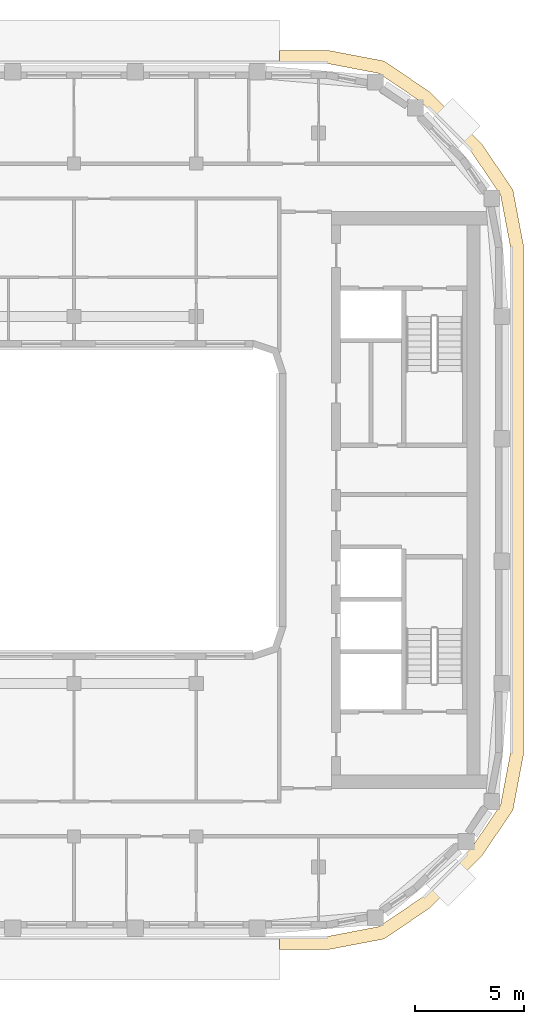
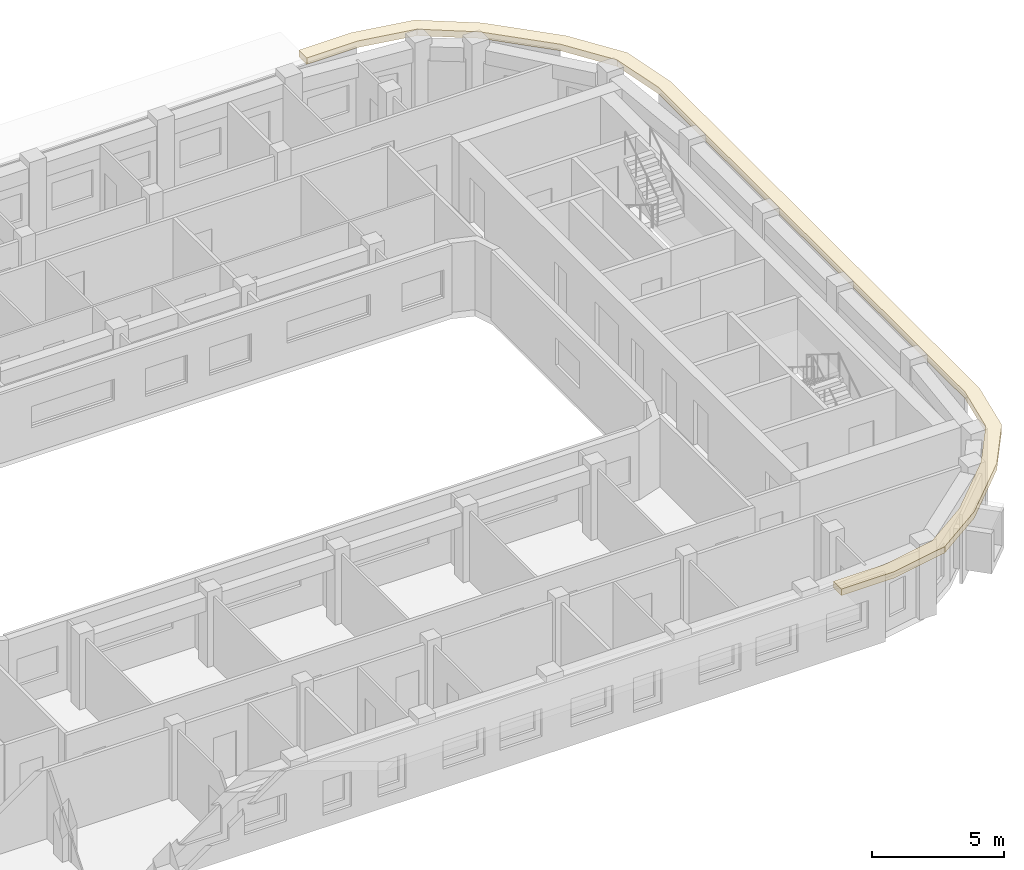
# One storey, part 14 of 16: 1 covering.
"""IFC4 building model written with IfcOpenShell, lengths in metres."""

from ifc_helpers import new_model, si_unit, direction, frame, origin, place, context, subcontext, project, spatial, polyline, outline, extrude, material, layer, layer_set, type_object, element, save


model = new_model("IFC4")

# Units and contexts
model_context = context("Model", 3, precision=1e-05, world=origin(), true_north=direction((0.0, 1.0)))
body_context = subcontext(model_context, "Body", "Model", "MODEL_VIEW")
ifc_project = project(units=[si_unit("LENGTHUNIT", "METRE"), si_unit("AREAUNIT", "SQUARE_METRE"), si_unit("VOLUMEUNIT", "CUBIC_METRE"), si_unit("PLANEANGLEUNIT", "RADIAN"), si_unit("MASSUNIT", "GRAM", prefix="KILO")], contexts=[model_context])

# Site, building, storey
site_placement = place(None, origin())
site = spatial("IfcSite", under=ifc_project, at=site_placement, CompositionType="ELEMENT")
building_placement = place(site_placement, origin())
building = spatial("IfcBuilding", under=site, at=building_placement, Name="Kiln Ring Residences", CompositionType="ELEMENT")
storey_placement = place(building_placement, frame((0.0, 0.0, 276.699951171875)))
storey = spatial("IfcBuildingStorey", under=building, at=storey_placement, Name="L72", CompositionType="ELEMENT", Elevation=276.699951171875)

# Covering
ifc_material = material(Name="Black powder-coated steel", Category="steel")
ifc_layer = layer(ifc_material, 0.300048828125)
ifc_layer_set = layer_set([ifc_layer], Name="SUNSHADE FIN 600")
covering_type = type_object("IfcCoveringType", Name="SUNSHADE FIN 600", PredefinedType="CLADDING", material=ifc_layer_set)
covering_placement = place(storey_placement, frame((0.0, 0.0, 3.199951171875)))
element("IfcCovering", 1, at=covering_placement, inside=storey, type_object=covering_type, Name="SUNSHADE FIN L72", PredefinedType="CLADDING", context=body_context, shape_type="SweptSolid", body=[
    extrude(outline(polyline([(17.292236328125, 20.574951171875), (15.0, 20.574951171875), (15.0, 19.97509765625), (17.2353515625, 19.97509765625), (19.57080078125, 19.529541015625), (21.537109375, 18.193115234375), (23.793212890625, 15.937255859375), (25.12939453125, 13.970703125), (25.574951171875, 11.635498046875), (25.574951171875, -11.635498046875), (25.12939453125, -13.970703125), (23.793212890625, -15.937255859375), (21.537109375, -18.193115234375), (19.57080078125, -19.529541015625), (17.2353515625, -19.97509765625), (15.0, -19.97509765625), (15.0, -20.574951171875), (17.292236328125, -20.574951171875), (19.805419921875, -20.095703125), (21.92138671875, -18.657470703125), (24.257568359375, -16.3212890625), (25.695556640625, -14.205322265625), (26.175048828125, -11.692138671875), (26.175048828125, 11.692138671875), (25.695556640625, 14.205322265625), (24.257568359375, 16.3212890625), (21.92138671875, 18.657470703125), (19.805419921875, 20.095703125), (17.292236328125, 20.574951171875)])), origin(), (0.0, 0.0, 1.0), 0.300048828125),
])

save(model, "model.ifc")
